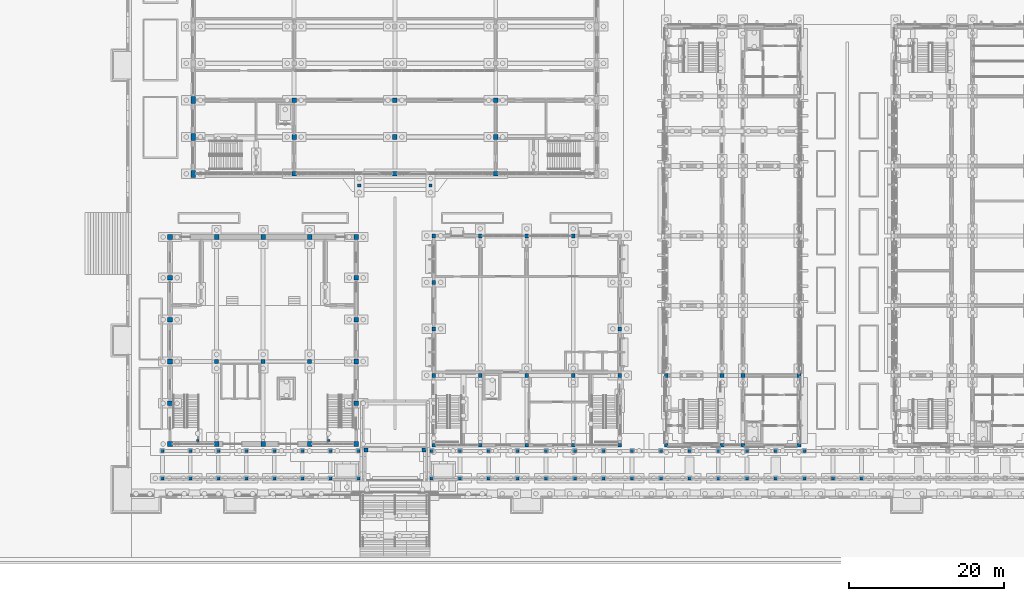
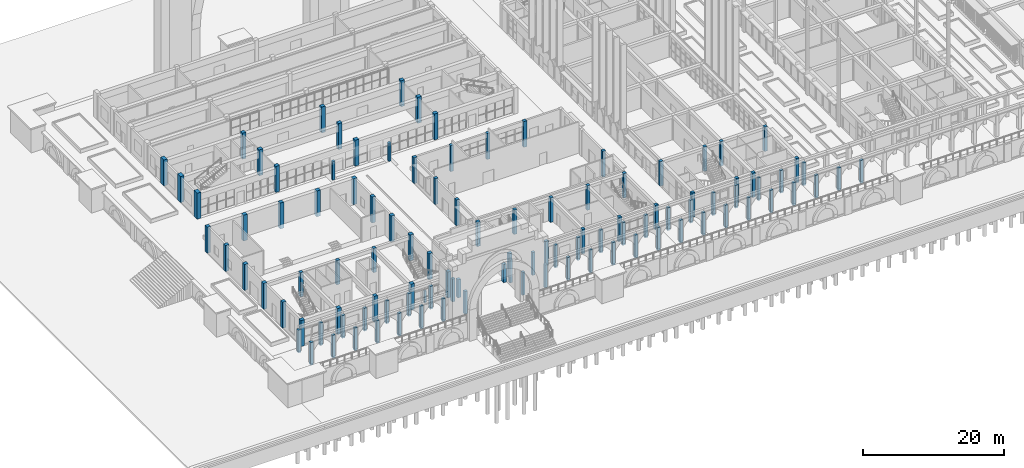
# One storey, part 7 of 161: 110 columns.
"""IFC4 building model written with IfcOpenShell, lengths in metres."""

from ifc_helpers import new_model, si_unit, direction, frame, origin, origin_2d, place, context, subcontext, project, spatial, rectangle, extrude, material, material_profile, profile_set, type_object, element, save


model = new_model("IFC4")

# Units and contexts
model_context = context("Model", 3, precision=1e-05, world=origin(), true_north=direction((0.0, 1.0)))
body_context = subcontext(model_context, "Body", "Model", "MODEL_VIEW")
ifc_project = project(units=[si_unit("LENGTHUNIT", "METRE"), si_unit("AREAUNIT", "SQUARE_METRE"), si_unit("VOLUMEUNIT", "CUBIC_METRE"), si_unit("PLANEANGLEUNIT", "RADIAN"), si_unit("MASSUNIT", "GRAM", prefix="KILO")], contexts=[model_context])

# Site, building, storey
site_placement = place(None, origin())
site = spatial("IfcSite", under=ifc_project, at=site_placement, CompositionType="ELEMENT")
building_placement = place(site_placement, origin())
building = spatial("IfcBuilding", under=site, at=building_placement, Name="Elbe Cascade School", CompositionType="ELEMENT")
storey_placement = place(building_placement, origin())
storey = spatial("IfcBuildingStorey", under=building, at=storey_placement, Name="L00", CompositionType="ELEMENT", Elevation=0.0)

# Columns
ifc_material_1 = material(Name="Concrete C30/37", Category="concrete")
ifc_material_profile_1 = material_profile(ifc_material_1, rectangle(XDim=0.300048828125, YDim=0.300048828125, at=origin_2d()), Name="RC 300x300")
ifc_profile_set_1 = profile_set([ifc_material_profile_1], Name="Concrete C30/37")
column_type_1 = type_object("IfcColumnType", Name="Assembly hall column RC 300x300", PredefinedType="COLUMN", material=ifc_profile_set_1)
for number, where, z_axis, x_axis, name in (
    (1, (8.550048828125, 6.60009765625, 0.0), (0.0, 0.0, 1.0), (1.0, 0.0, 0.0), "Assembly hall column RC 300x300 C9"),
    (2, (25.449951171875, 6.60009765625, 0.0), (0.0, 0.0, 1.0), (1.0, 0.0, 0.0), "Assembly hall column RC 300x300 C9"),
):
    element("IfcColumn", number, at=place(storey_placement, frame(where, z_axis=z_axis, x_axis=x_axis)), inside=storey, type_object=column_type_1, Name=name, PredefinedType="COLUMN", context=body_context, shape_type="SweptSolid", body=[
        extrude(rectangle(XDim=0.300048828125, YDim=0.300048828125, at=origin_2d()), origin(), (0.0, 0.0, 1.0), 2.050048828125),
    ])
ifc_material_2 = material(Name="Concrete C30/37", Category="concrete")
ifc_material_profile_2 = material_profile(ifc_material_2, rectangle(XDim=0.5, YDim=0.5, at=origin_2d()), Name="RC 500x500")
ifc_profile_set_2 = profile_set([ifc_material_profile_2], Name="Concrete C30/37")
column_type_2 = type_object("IfcColumnType", Name="Assembly hall column RC 500x500", PredefinedType="COLUMN", material=ifc_profile_set_2)
for number, where, z_axis, x_axis, name in (
    (3, (11.0, 16.800048828125, 0.0), (0.0, 0.0, 1.0), (1.0, 0.0, 0.0), "Assembly hall column RC 500x500 C7"),
    (4, (17.0, 16.800048828125, 0.0), (0.0, 0.0, 1.0), (1.0, 0.0, 0.0), "Assembly hall column RC 500x500 C7"),
    (5, (23.0, 16.800048828125, 0.0), (0.0, 0.0, 1.0), (1.0, 0.0, 0.0), "Assembly hall column RC 500x500 C7"),
):
    element("IfcColumn", number, at=place(storey_placement, frame(where, z_axis=z_axis, x_axis=x_axis)), inside=storey, type_object=column_type_2, Name=name, PredefinedType="COLUMN", context=body_context, shape_type="SweptSolid", body=[
        extrude(rectangle(XDim=0.5, YDim=0.5, at=origin_2d()), origin(), (0.0, 0.0, 1.0), 4.199951171875),
    ])
for number, where, z_axis, x_axis, name in (
    (6, (39.0, 6.0, 0.0), (0.0, 0.0, 1.0), (1.0, 0.0, 0.0), "Assembly hall column RC 500x500 C7"),
    (7, (39.0, 15.0, 0.0), (0.0, 0.0, 1.0), (1.0, 0.0, 0.0), "Assembly hall column RC 500x500 C7"),
    (8, (45.0, 6.0, 0.0), (0.0, 0.0, 1.0), (1.0, 0.0, 0.0), "Assembly hall column RC 500x500 C7"),
    (9, (45.0, 15.0, 0.0), (0.0, 0.0, 1.0), (1.0, 0.0, 0.0), "Assembly hall column RC 500x500 C7"),
    (10, (51.0, 6.0, 0.0), (0.0, 0.0, 1.0), (1.0, 0.0, 0.0), "Assembly hall column RC 500x500 C7"),
    (11, (51.0, 15.0, 0.0), (0.0, 0.0, 1.0), (1.0, 0.0, 0.0), "Assembly hall column RC 500x500 C7"),
    (12, (57.0, 6.0, 0.0), (0.0, 0.0, 1.0), (1.0, 0.0, 0.0), "Assembly hall column RC 500x500 C7"),
    (13, (57.0, 15.0, 0.0), (0.0, 0.0, 1.0), (1.0, 0.0, 0.0), "Assembly hall column RC 500x500 C7"),
    (14, (63.0, 6.0, 0.0), (0.0, 0.0, 1.0), (1.0, 0.0, 0.0), "Assembly hall column RC 500x500 C7"),
    (15, (63.0, 15.0, 0.0), (0.0, 0.0, 1.0), (1.0, 0.0, 0.0), "Assembly hall column RC 500x500 C7"),
):
    element("IfcColumn", number, at=place(storey_placement, frame(where, z_axis=z_axis, x_axis=x_axis)), inside=storey, type_object=column_type_2, Name=name, PredefinedType="COLUMN", context=body_context, shape_type="SweptSolid", body=[
        extrude(rectangle(XDim=0.5, YDim=0.5, at=origin_2d()), origin(), (0.0, 0.0, 1.0), 4.25),
    ])
for number, where, z_axis, x_axis, name in (
    (16, (39.0, 21.0, 0.0), (0.0, 0.0, 1.0), (1.0, 0.0, 0.0), "Assembly hall column RC 500x500 C7"),
    (17, (39.0, 27.0, 0.0), (0.0, 0.0, 1.0), (1.0, 0.0, 0.0), "Assembly hall column RC 500x500 C7"),
    (18, (39.0, 33.0, 0.0), (0.0, 0.0, 1.0), (1.0, 0.0, 0.0), "Assembly hall column RC 500x500 C7"),
    (19, (45.0, 33.0, 0.0), (0.0, 0.0, 1.0), (1.0, 0.0, 0.0), "Assembly hall column RC 500x500 C7"),
    (20, (51.0, 33.0, 0.0), (0.0, 0.0, 1.0), (1.0, 0.0, 0.0), "Assembly hall column RC 500x500 C7"),
    (21, (57.0, 33.0, 0.0), (0.0, 0.0, 1.0), (1.0, 0.0, 0.0), "Assembly hall column RC 500x500 C7"),
    (22, (63.0, 21.0, 0.0), (0.0, 0.0, 1.0), (1.0, 0.0, 0.0), "Assembly hall column RC 500x500 C7"),
):
    element("IfcColumn", number, at=place(storey_placement, frame(where, z_axis=z_axis, x_axis=x_axis)), inside=storey, type_object=column_type_2, Name=name, PredefinedType="COLUMN", context=body_context, shape_type="SweptSolid", body=[
        extrude(rectangle(XDim=0.5, YDim=0.5, at=origin_2d()), origin(), (0.0, 0.0, 1.0), 4.5),
    ])
for number, where, z_axis, x_axis, name in (
    (23, (30.25, 5.39990234375, 0.0), (0.0, 0.0, 1.0), (1.0, 0.0, 0.0), "Assembly hall column RC 500x500 C7"),
    (24, (37.75, 5.39990234375, 0.0), (0.0, 0.0, 1.0), (1.0, 0.0, 0.0), "Assembly hall column RC 500x500 C7"),
):
    element("IfcColumn", number, at=place(storey_placement, frame(where, z_axis=z_axis, x_axis=x_axis)), inside=storey, type_object=column_type_2, Name=name, PredefinedType="COLUMN", context=body_context, shape_type="SweptSolid", body=[
        extrude(rectangle(XDim=0.5, YDim=0.5, at=origin_2d()), origin(), (0.0, 0.0, 1.0), 3.14990234375),
    ])
ifc_material_3 = material(Name="Concrete C30/37", Category="concrete")
ifc_material_profile_3 = material_profile(ifc_material_3, rectangle(XDim=0.60009765625, YDim=0.60009765625, at=origin_2d()), Name="RC 600x600")
ifc_profile_set_3 = profile_set([ifc_material_profile_3], Name="Concrete C30/37")
column_type_3 = type_object("IfcColumnType", Name="Assembly hall column RC 600x600", PredefinedType="COLUMN", material=ifc_profile_set_3)
for number, where, z_axis, x_axis, name in (
    (25, (5.0, 6.14990234375, 0.0), (0.0, 0.0, 1.0), (1.0, 0.0, 0.0), "Assembly hall column RC 600x600 C6"),
    (26, (5.0, 11.39990234375, 0.0), (0.0, 0.0, 1.0), (1.0, 0.0, 0.0), "Assembly hall column RC 600x600 C6"),
    (27, (5.0, 16.800048828125, 0.0), (0.0, 0.0, 1.0), (1.0, 0.0, 0.0), "Assembly hall column RC 600x600 C6"),
    (28, (5.0, 22.199951171875, 0.0), (0.0, 0.0, 1.0), (1.0, 0.0, 0.0), "Assembly hall column RC 600x600 C6"),
    (29, (5.0, 27.60009765625, 0.0), (0.0, 0.0, 1.0), (1.0, 0.0, 0.0), "Assembly hall column RC 600x600 C6"),
    (30, (5.0, 32.85009765625, 0.0), (0.0, 0.0, 1.0), (1.0, 0.0, 0.0), "Assembly hall column RC 600x600 C6"),
    (31, (11.0, 6.14990234375, 0.0), (0.0, 0.0, 1.0), (1.0, 0.0, 0.0), "Assembly hall column RC 600x600 C6"),
    (32, (11.0, 32.85009765625, 0.0), (0.0, 0.0, 1.0), (1.0, 0.0, 0.0), "Assembly hall column RC 600x600 C6"),
    (33, (17.0, 6.14990234375, 0.0), (0.0, 0.0, 1.0), (1.0, 0.0, 0.0), "Assembly hall column RC 600x600 C6"),
    (34, (17.0, 32.85009765625, 0.0), (0.0, 0.0, 1.0), (1.0, 0.0, 0.0), "Assembly hall column RC 600x600 C6"),
    (35, (23.0, 6.14990234375, 0.0), (0.0, 0.0, 1.0), (1.0, 0.0, 0.0), "Assembly hall column RC 600x600 C6"),
    (36, (23.0, 32.85009765625, 0.0), (0.0, 0.0, 1.0), (1.0, 0.0, 0.0), "Assembly hall column RC 600x600 C6"),
    (37, (29.0, 6.14990234375, 0.0), (0.0, 0.0, 1.0), (1.0, 0.0, 0.0), "Assembly hall column RC 600x600 C6"),
    (38, (29.0, 11.39990234375, 0.0), (0.0, 0.0, 1.0), (1.0, 0.0, 0.0), "Assembly hall column RC 600x600 C6"),
    (39, (29.0, 16.800048828125, 0.0), (0.0, 0.0, 1.0), (1.0, 0.0, 0.0), "Assembly hall column RC 600x600 C6"),
    (40, (29.0, 22.199951171875, 0.0), (0.0, 0.0, 1.0), (1.0, 0.0, 0.0), "Assembly hall column RC 600x600 C6"),
    (41, (29.0, 27.60009765625, 0.0), (0.0, 0.0, 1.0), (1.0, 0.0, 0.0), "Assembly hall column RC 600x600 C6"),
    (42, (29.0, 32.85009765625, 0.0), (0.0, 0.0, 1.0), (1.0, 0.0, 0.0), "Assembly hall column RC 600x600 C6"),
):
    element("IfcColumn", number, at=place(storey_placement, frame(where, z_axis=z_axis, x_axis=x_axis)), inside=storey, type_object=column_type_3, Name=name, PredefinedType="COLUMN", context=body_context, shape_type="SweptSolid", body=[
        extrude(rectangle(XDim=0.60009765625, YDim=0.60009765625, at=origin_2d()), origin(), (0.0, 0.0, 1.0), 4.5),
    ])
ifc_material_4 = material(Name="Concrete C35/45", Category="concrete")
ifc_material_profile_4 = material_profile(ifc_material_4, rectangle(XDim=0.449951171875, YDim=0.449951171875, at=origin_2d()), Name="RC 450x450")
ifc_profile_set_4 = profile_set([ifc_material_profile_4], Name="Concrete C35/45")
column_type_4 = type_object("IfcColumnType", Name="Colonnade column RC 450x450", PredefinedType="COLUMN", material=ifc_profile_set_4)
for number, where, z_axis, x_axis, name in (
    (43, (4.0, 1.72509765625, -0.300048828125), (0.0, 0.0, 1.0), (1.0, 0.0, 0.0), "Colonnade column F1"),
    (44, (7.610595703125, 1.72509765625, -0.300048828125), (0.0, 0.0, 1.0), (1.0, 0.0, 0.0), "Colonnade column F2"),
    (45, (11.221435546875, 1.72509765625, -0.300048828125), (0.0, 0.0, 1.0), (1.0, 0.0, 0.0), "Colonnade column F3"),
    (46, (14.83203125, 1.72509765625, -0.300048828125), (0.0, 0.0, 1.0), (1.0, 0.0, 0.0), "Colonnade column F4"),
    (47, (18.44287109375, 1.72509765625, -0.300048828125), (0.0, 0.0, 1.0), (1.0, 0.0, 0.0), "Colonnade column F5"),
    (48, (22.0537109375, 1.72509765625, -0.300048828125), (0.0, 0.0, 1.0), (1.0, 0.0, 0.0), "Colonnade column F6"),
    (49, (25.664306640625, 1.72509765625, -0.300048828125), (0.0, 0.0, 1.0), (1.0, 0.0, 0.0), "Colonnade column F7"),
    (50, (29.27490234375, 1.72509765625, -0.300048828125), (0.0, 0.0, 1.0), (1.0, 0.0, 0.0), "Colonnade column F8"),
    (51, (38.72509765625, 1.72509765625, -0.300048828125), (0.0, 0.0, 1.0), (1.0, 0.0, 0.0), "Colonnade column F9"),
    (52, (42.39990234375, 1.72509765625, -0.300048828125), (0.0, 0.0, 1.0), (1.0, 0.0, 0.0), "Colonnade column F10"),
    (53, (46.10009765625, 1.72509765625, -0.300048828125), (0.0, 0.0, 1.0), (1.0, 0.0, 0.0), "Colonnade column F11"),
    (54, (49.800048828125, 1.72509765625, -0.300048828125), (0.0, 0.0, 1.0), (1.0, 0.0, 0.0), "Colonnade column F12"),
    (55, (53.5, 1.72509765625, -0.300048828125), (0.0, 0.0, 1.0), (1.0, 0.0, 0.0), "Colonnade column F13"),
    (56, (57.199951171875, 1.72509765625, -0.300048828125), (0.0, 0.0, 1.0), (1.0, 0.0, 0.0), "Colonnade column F14"),
    (57, (60.89990234375, 1.72509765625, -0.300048828125), (0.0, 0.0, 1.0), (1.0, 0.0, 0.0), "Colonnade column F15"),
    (58, (64.60009765625, 1.72509765625, -0.300048828125), (0.0, 0.0, 1.0), (1.0, 0.0, 0.0), "Colonnade column F16"),
    (59, (68.300048828125, 1.72509765625, -0.300048828125), (0.0, 0.0, 1.0), (1.0, 0.0, 0.0), "Colonnade column F17"),
    (60, (72.0, 1.72509765625, -0.300048828125), (0.0, 0.0, 1.0), (1.0, 0.0, 0.0), "Colonnade column F18"),
    (61, (75.699951171875, 1.72509765625, -0.300048828125), (0.0, 0.0, 1.0), (1.0, 0.0, 0.0), "Colonnade column F19"),
    (62, (79.39990234375, 1.72509765625, -0.300048828125), (0.0, 0.0, 1.0), (1.0, 0.0, 0.0), "Colonnade column F20"),
    (63, (83.10009765625, 1.72509765625, -0.300048828125), (0.0, 0.0, 1.0), (1.0, 0.0, 0.0), "Colonnade column F21"),
    (64, (86.800048828125, 1.72509765625, -0.300048828125), (0.0, 0.0, 1.0), (1.0, 0.0, 0.0), "Colonnade column F22"),
    (65, (90.5, 1.72509765625, -0.300048828125), (0.0, 0.0, 1.0), (1.0, 0.0, 0.0), "Colonnade column F23"),
    (66, (94.199951171875, 1.72509765625, -0.300048828125), (0.0, 0.0, 1.0), (1.0, 0.0, 0.0), "Colonnade column F24"),
    (67, (4.0, 5.27490234375, -0.300048828125), (0.0, 0.0, 1.0), (1.0, 0.0, 0.0), "Colonnade column R1"),
    (68, (7.610595703125, 5.27490234375, -0.300048828125), (0.0, 0.0, 1.0), (1.0, 0.0, 0.0), "Colonnade column R2"),
    (69, (11.221435546875, 5.27490234375, -0.300048828125), (0.0, 0.0, 1.0), (1.0, 0.0, 0.0), "Colonnade column R3"),
    (70, (14.83203125, 5.27490234375, -0.300048828125), (0.0, 0.0, 1.0), (1.0, 0.0, 0.0), "Colonnade column R4"),
    (71, (18.44287109375, 5.27490234375, -0.300048828125), (0.0, 0.0, 1.0), (1.0, 0.0, 0.0), "Colonnade column R5"),
    (72, (22.0537109375, 5.27490234375, -0.300048828125), (0.0, 0.0, 1.0), (1.0, 0.0, 0.0), "Colonnade column R6"),
    (73, (25.664306640625, 5.27490234375, -0.300048828125), (0.0, 0.0, 1.0), (1.0, 0.0, 0.0), "Colonnade column R7"),
    (74, (29.27490234375, 5.27490234375, -0.300048828125), (0.0, 0.0, 1.0), (1.0, 0.0, 0.0), "Colonnade column R8"),
    (75, (38.72509765625, 5.27490234375, -0.300048828125), (0.0, 0.0, 1.0), (1.0, 0.0, 0.0), "Colonnade column R9"),
    (76, (42.39990234375, 5.27490234375, -0.300048828125), (0.0, 0.0, 1.0), (1.0, 0.0, 0.0), "Colonnade column R10"),
    (77, (46.10009765625, 5.27490234375, -0.300048828125), (0.0, 0.0, 1.0), (1.0, 0.0, 0.0), "Colonnade column R11"),
    (78, (49.800048828125, 5.27490234375, -0.300048828125), (0.0, 0.0, 1.0), (1.0, 0.0, 0.0), "Colonnade column R12"),
    (79, (53.5, 5.27490234375, -0.300048828125), (0.0, 0.0, 1.0), (1.0, 0.0, 0.0), "Colonnade column R13"),
    (80, (57.199951171875, 5.27490234375, -0.300048828125), (0.0, 0.0, 1.0), (1.0, 0.0, 0.0), "Colonnade column R14"),
    (81, (60.89990234375, 5.27490234375, -0.300048828125), (0.0, 0.0, 1.0), (1.0, 0.0, 0.0), "Colonnade column R15"),
    (82, (64.60009765625, 5.27490234375, -0.300048828125), (0.0, 0.0, 1.0), (1.0, 0.0, 0.0), "Colonnade column R16"),
    (83, (68.300048828125, 5.27490234375, -0.300048828125), (0.0, 0.0, 1.0), (1.0, 0.0, 0.0), "Colonnade column R17"),
    (84, (72.0, 5.27490234375, -0.300048828125), (0.0, 0.0, 1.0), (1.0, 0.0, 0.0), "Colonnade column R18"),
    (85, (75.699951171875, 5.27490234375, -0.300048828125), (0.0, 0.0, 1.0), (1.0, 0.0, 0.0), "Colonnade column R19"),
    (86, (79.39990234375, 5.27490234375, -0.300048828125), (0.0, 0.0, 1.0), (1.0, 0.0, 0.0), "Colonnade column R20"),
    (87, (83.10009765625, 5.27490234375, -0.300048828125), (0.0, 0.0, 1.0), (1.0, 0.0, 0.0), "Colonnade column R21"),
    (88, (86.800048828125, 5.27490234375, -0.300048828125), (0.0, 0.0, 1.0), (1.0, 0.0, 0.0), "Colonnade column R22"),
):
    element("IfcColumn", number, at=place(storey_placement, frame(where, z_axis=z_axis, x_axis=x_axis)), inside=storey, type_object=column_type_4, Name=name, PredefinedType="COLUMN", context=body_context, shape_type="SweptSolid", body=[
        extrude(rectangle(XDim=0.449951171875, YDim=0.449951171875, at=origin_2d()), origin(), (0.0, 0.0, 1.0), 3.949951171875),
    ])
ifc_material_5 = material(Name="Concrete C30/37", Category="concrete")
ifc_material_profile_5 = material_profile(ifc_material_5, rectangle(XDim=0.60009765625, YDim=0.60009765625, at=origin_2d()), Name="RC 600x600")
ifc_profile_set_5 = profile_set([ifc_material_profile_5], Name="Concrete C30/37")
column_type_5 = type_object("IfcColumnType", Name="Hall base column RC 600x600", PredefinedType="COLUMN", material=ifc_profile_set_5)
for number, where, z_axis, x_axis, name in (
    (89, (21.0, 41.0, 0.0), (0.0, 0.0, 1.0), (1.0, 0.0, 0.0), "Base column 21-1"),
    (90, (21.0, 45.75, 0.0), (0.0, 0.0, 1.0), (1.0, 0.0, 0.0), "Base column 21-2"),
    (91, (21.0, 50.5, 0.0), (0.0, 0.0, 1.0), (1.0, 0.0, 0.0), "Base column 21-3"),
    (92, (34.0, 41.0, 0.0), (0.0, 0.0, 1.0), (1.0, 0.0, 0.0), "Base column 34-1"),
    (93, (34.0, 45.75, 0.0), (0.0, 0.0, 1.0), (1.0, 0.0, 0.0), "Base column 34-2"),
    (94, (34.0, 50.5, 0.0), (0.0, 0.0, 1.0), (1.0, 0.0, 0.0), "Base column 34-3"),
    (95, (47.0, 41.0, 0.0), (0.0, 0.0, 1.0), (1.0, 0.0, 0.0), "Base column 47-1"),
    (96, (47.0, 45.75, 0.0), (0.0, 0.0, 1.0), (1.0, 0.0, 0.0), "Base column 47-2"),
    (97, (47.0, 50.5, 0.0), (0.0, 0.0, 1.0), (1.0, 0.0, 0.0), "Base column 47-3"),
):
    element("IfcColumn", number, at=place(storey_placement, frame(where, z_axis=z_axis, x_axis=x_axis)), inside=storey, type_object=column_type_5, Name=name, PredefinedType="COLUMN", context=body_context, shape_type="SweptSolid", body=[
        extrude(rectangle(XDim=0.60009765625, YDim=0.60009765625, at=origin_2d()), origin(), (0.0, 0.0, 1.0), 4.5),
    ])
ifc_material_6 = material(Name="Concrete C30/37", Category="concrete")
ifc_material_profile_6 = material_profile(ifc_material_6, rectangle(XDim=0.39990234375, YDim=0.39990234375, at=origin_2d()), Name="RC 400x400")
ifc_profile_set_6 = profile_set([ifc_material_profile_6], Name="Concrete C30/37")
column_type_6 = type_object("IfcColumnType", Name="Hall canopy column RC 400x400", PredefinedType="COLUMN", material=ifc_profile_set_6)
for number, where, z_axis, x_axis, name in (
    (98, (29.39990234375, 39.5, 0.0), (0.0, 0.0, 1.0), (1.0, 0.0, 0.0), "Canopy column W"),
    (99, (38.60009765625, 39.5, 0.0), (0.0, 0.0, 1.0), (1.0, 0.0, 0.0), "Canopy column E"),
):
    element("IfcColumn", number, at=place(storey_placement, frame(where, z_axis=z_axis, x_axis=x_axis)), inside=storey, type_object=column_type_6, Name=name, PredefinedType="COLUMN", context=body_context, shape_type="SweptSolid", body=[
        extrude(rectangle(XDim=0.39990234375, YDim=0.39990234375, at=origin_2d()), origin(), (0.0, 0.0, 1.0), 3.199951171875),
    ])
ifc_material_7 = material(Name="Concrete C30/37", Category="concrete")
ifc_material_profile_7 = material_profile(ifc_material_7, rectangle(XDim=0.60009765625, YDim=0.89990234375, at=origin_2d()), Name="RC 600x900")
ifc_profile_set_7 = profile_set([ifc_material_profile_7], Name="Concrete C30/37")
column_type_7 = type_object("IfcColumnType", Name="Hall pilaster RC 600x900", PredefinedType="COLUMN", material=ifc_profile_set_7)
for number, where, z_axis, x_axis, name in (
    (100, (8.0, 41.0, 0.0), (0.0, 0.0, 1.0), (1.0, 0.0, 0.0), "Pilaster W1"),
    (101, (8.0, 45.75, 0.0), (0.0, 0.0, 1.0), (1.0, 0.0, 0.0), "Pilaster W2"),
    (102, (8.0, 50.5, 0.0), (0.0, 0.0, 1.0), (1.0, 0.0, 0.0), "Pilaster W3"),
):
    element("IfcColumn", number, at=place(storey_placement, frame(where, z_axis=z_axis, x_axis=x_axis)), inside=storey, type_object=column_type_7, Name=name, PredefinedType="COLUMN", context=body_context, shape_type="SweptSolid", body=[
        extrude(rectangle(XDim=0.60009765625, YDim=0.89990234375, at=origin_2d()), origin(), (0.0, 0.0, 1.0), 4.5),
    ])
ifc_material_8 = material(Name="Concrete C30/37", Category="concrete")
ifc_material_profile_8 = material_profile(ifc_material_8, rectangle(XDim=0.5, YDim=0.5, at=origin_2d()), Name="RC 500x500")
ifc_profile_set_8 = profile_set([ifc_material_profile_8], Name="Concrete C30/37")
column_type_8 = type_object("IfcColumnType", Name="RC 500x500 column", PredefinedType="COLUMN", material=ifc_profile_set_8)
for number, where, z_axis, x_axis, name in (
    (103, (69.0, 6.0, 0.0), (0.0, 0.0, 1.0), (1.0, 0.0, 0.0), "RC 500x500 column C1"),
    (104, (69.0, 15.0, 0.0), (0.0, 0.0, 1.0), (1.0, 0.0, 0.0), "RC 500x500 column C1"),
    (105, (76.199951171875, 6.0, 0.0), (0.0, 0.0, 1.0), (1.0, 0.0, 0.0), "RC 500x500 column C1"),
    (106, (76.199951171875, 15.0, 0.0), (0.0, 0.0, 1.0), (1.0, 0.0, 0.0), "RC 500x500 column C1"),
    (107, (78.89990234375, 6.0, 0.0), (0.0, 0.0, 1.0), (1.0, 0.0, 0.0), "RC 500x500 column C1"),
    (108, (78.89990234375, 15.0, 0.0), (0.0, 0.0, 1.0), (1.0, 0.0, 0.0), "RC 500x500 column C1"),
    (109, (86.10009765625, 6.0, 0.0), (0.0, 0.0, 1.0), (1.0, 0.0, 0.0), "RC 500x500 column C1"),
    (110, (86.10009765625, 15.0, 0.0), (0.0, 0.0, 1.0), (1.0, 0.0, 0.0), "RC 500x500 column C1"),
):
    element("IfcColumn", number, at=place(storey_placement, frame(where, z_axis=z_axis, x_axis=x_axis)), inside=storey, type_object=column_type_8, Name=name, PredefinedType="COLUMN", context=body_context, shape_type="SweptSolid", body=[
        extrude(rectangle(XDim=0.5, YDim=0.5, at=origin_2d()), origin(), (0.0, 0.0, 1.0), 4.25),
    ])

save(model, "model.ifc")
